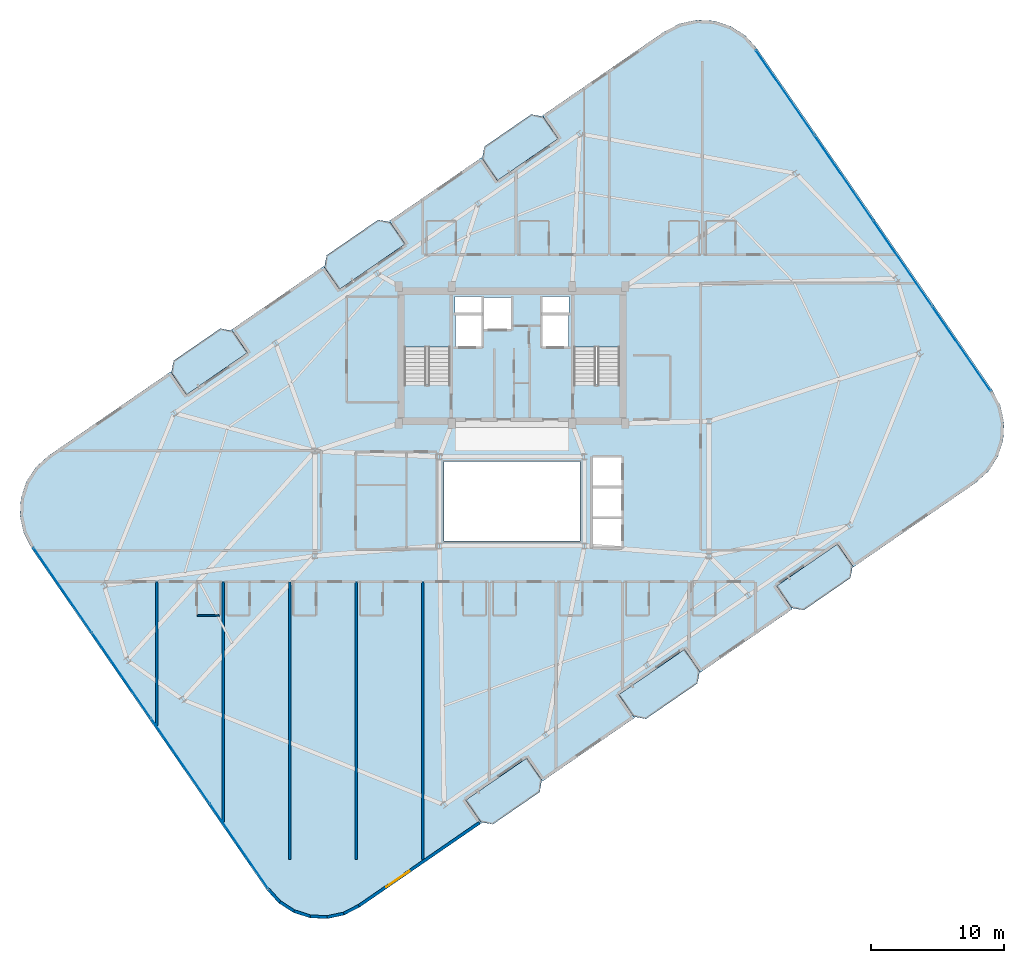
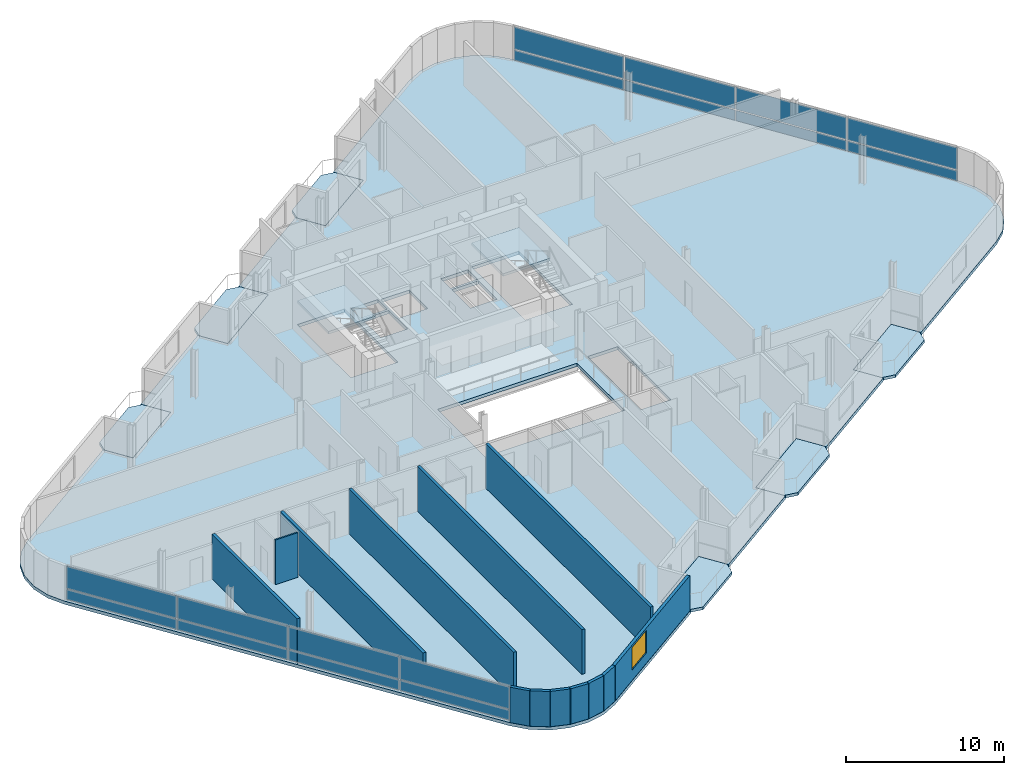
# One storey, part 13 of 22: 16 plates, 13 walls, 9 slabs, 1 window, 1 opening, 4 elements without a shape of their own.
"""IFC4 building model written with IfcOpenShell, lengths in metres."""

from ifc_helpers import new_model, si_unit, direction, frame, frame_2d, origin, origin_2d, place, context, subcontext, project, spatial, polyline, rectangle, outline, extrude, source, transform, mapped, material, layer, layer_set, type_object, element, fill, aggregate, save


model = new_model("IFC4")

# Units and contexts
model_context = context("Model", 3, precision=1e-05, world=origin(), true_north=direction((0.0, 1.0)))
body_context = subcontext(model_context, "Body", "Model", "MODEL_VIEW")
ifc_project = project(units=[si_unit("LENGTHUNIT", "METRE"), si_unit("AREAUNIT", "SQUARE_METRE"), si_unit("VOLUMEUNIT", "CUBIC_METRE"), si_unit("PLANEANGLEUNIT", "RADIAN"), si_unit("MASSUNIT", "GRAM", prefix="KILO")], contexts=[model_context])

# Site, building, storey
site_placement = place(None, origin())
site = spatial("IfcSite", under=ifc_project, at=site_placement, CompositionType="ELEMENT")
building_placement = place(site_placement, origin())
building = spatial("IfcBuilding", under=site, at=building_placement, Name="Varnelok Gate Tower", CompositionType="ELEMENT")
storey_placement = place(building_placement, frame((0.0, 0.0, 280.39990234375)))
storey = spatial("IfcBuildingStorey", under=building, at=storey_placement, Name="L72", CompositionType="ELEMENT", Elevation=280.39990234375)

# Slabs
ifc_material_1 = material(Name="Concrete C45/55", Category="concrete")
ifc_layer_1 = layer(ifc_material_1, 0.219970703125)
ifc_layer_set_1 = layer_set([ifc_layer_1], Name="Concrete C45/55")
slab_type_1 = type_object("IfcSlabType", Name="SLB-BALC-220", PredefinedType="FLOOR", material=ifc_layer_set_1)
slab_1_placement = place(storey_placement, frame((0.0, 0.0, -0.219970703125)))
element("IfcSlab", 1, at=slab_1_placement, inside=storey, type_object=slab_type_1, Name="L72 South Hollow Balcony 1", PredefinedType="FLOOR", context=body_context, shape_type="SweptSolid", body=[
    extrude(outline(polyline([(36.856201171875, -1.207275390625), (37.76025390625, -1.373779296875), (41.274169921875, 1.046630859375), (41.440673828125, 1.95068359375), (40.30615234375, 3.597900390625), (35.7216796875, 0.439697265625), (36.856201171875, -1.207275390625)])), origin(), (0.0, 0.0, 1.0), 0.219970703125),
])
slab_2_placement = place(storey_placement, frame((0.0, 0.0, -0.219970703125)))
element("IfcSlab", 2, at=slab_2_placement, inside=storey, type_object=slab_type_1, Name="L72 South Hollow Balcony 2", PredefinedType="FLOOR", context=body_context, shape_type="SweptSolid", body=[
    extrude(outline(polyline([(48.3583984375, 6.7158203125), (49.262451171875, 6.54931640625), (53.133056640625, 9.21533203125), (53.299560546875, 10.119384765625), (52.1650390625, 11.7666015625), (47.223876953125, 8.36279296875), (48.3583984375, 6.7158203125)])), origin(), (0.0, 0.0, 1.0), 0.219970703125),
])
slab_3_placement = place(storey_placement, frame((0.0, 0.0, -0.219970703125)))
element("IfcSlab", 3, at=slab_3_placement, inside=storey, type_object=slab_type_1, Name="L72 South Hollow Balcony 3", PredefinedType="FLOOR", context=body_context, shape_type="SweptSolid", body=[
    extrude(outline(polyline([(60.21728515625, 14.884521484375), (61.121337890625, 14.718017578125), (64.63525390625, 17.138427734375), (64.802001953125, 18.04248046875), (63.66748046875, 19.689453125), (59.082763671875, 16.531494140625), (60.21728515625, 14.884521484375)])), origin(), (0.0, 0.0, 1.0), 0.219970703125),
])
slab_4_placement = place(storey_placement, frame((0.0, 0.0, -0.219970703125)))
element("IfcSlab", 4, at=slab_4_placement, inside=storey, type_object=slab_type_1, Name="L72 North Hollow Balcony 1", PredefinedType="FLOOR", context=body_context, shape_type="SweptSolid", body=[
    extrude(outline(polyline([(14.732666015625, 30.910400390625), (19.3173828125, 34.068603515625), (18.1826171875, 35.715576171875), (17.27880859375, 35.882080078125), (13.7646484375, 33.461669921875), (13.59814453125, 32.5576171875), (14.732666015625, 30.910400390625)])), origin(), (0.0, 0.0, 1.0), 0.219970703125),
])
slab_5_placement = place(storey_placement, frame((0.0, 0.0, -0.219970703125)))
element("IfcSlab", 5, at=slab_5_placement, inside=storey, type_object=slab_type_1, Name="L72 North Hollow Balcony 2", PredefinedType="FLOOR", context=body_context, shape_type="SweptSolid", body=[
    extrude(outline(polyline([(26.23486328125, 38.83349609375), (31.176025390625, 42.2373046875), (30.04150390625, 43.88427734375), (29.1376953125, 44.05078125), (25.26708984375, 41.384521484375), (25.100341796875, 40.480712890625), (26.23486328125, 38.83349609375)])), origin(), (0.0, 0.0, 1.0), 0.219970703125),
])
slab_6_placement = place(storey_placement, frame((0.0, 0.0, -0.219970703125)))
element("IfcSlab", 6, at=slab_6_placement, inside=storey, type_object=slab_type_1, Name="L72 North Hollow Balcony 3", PredefinedType="FLOOR", context=body_context, shape_type="SweptSolid", body=[
    extrude(outline(polyline([(38.09375, 47.002197265625), (42.678466796875, 50.16015625), (41.5439453125, 51.807373046875), (40.639892578125, 51.973876953125), (37.125732421875, 49.55322265625), (36.959228515625, 48.6494140625), (38.09375, 47.002197265625)])), origin(), (0.0, 0.0, 1.0), 0.219970703125),
])

# Stair, slab
ifc_material_2 = material(Name="Concrete C50/60", Category="concrete")
stair_type = type_object("IfcStairType", Name="STR-CORE-1650", PredefinedType="HALF_TURN_STAIR", material=ifc_material_2)
stair_1_placement = place(storey_placement, origin())
stair_1 = element("IfcStair", 7, at=stair_1_placement, inside=storey, type_object=stair_type, Name="L72 Exit Stair ST-1", PredefinedType="HALF_TURN_STAIR")
ifc_layer_2 = layer(ifc_material_1, 0.199951171875)
ifc_layer_set_2 = layer_set([ifc_layer_2], Name="Concrete C45/55")
slab_type_2 = type_object("IfcSlabType", Name="SLB-LAND-200", PredefinedType="LANDING", material=ifc_layer_set_2)
slab_7_placement = place(storey_placement, frame((0.0, 0.0, 1.650146484375)))
slab_7 = element("IfcSlab", 8, at=slab_7_placement, type_object=slab_type_2, Name="ST-1 landing 1", PredefinedType="LANDING", context=body_context, shape_type="SweptSolid", body=[
    extrude(outline(polyline([(34.550048828125, 34.5), (34.550048828125, 38.449951171875), (31.10009765625, 38.449951171875), (31.10009765625, 34.5), (34.550048828125, 34.5)])), origin(), (0.0, 0.0, 1.0), 0.199951171875),
])
aggregate(stair_1, [slab_7])

stair_2_placement = place(storey_placement, origin())
stair_2 = element("IfcStair", 9, at=stair_2_placement, inside=storey, type_object=stair_type, Name="L72 Exit Stair ST-2", PredefinedType="HALF_TURN_STAIR")
slab_8_placement = place(storey_placement, frame((0.0, 0.0, 1.650146484375)))
slab_8 = element("IfcSlab", 10, at=slab_8_placement, type_object=slab_type_2, Name="ST-2 landing 1", PredefinedType="LANDING", context=body_context, shape_type="SweptSolid", body=[
    extrude(outline(polyline([(47.300048828125, 34.5), (47.300048828125, 38.449951171875), (43.85009765625, 38.449951171875), (43.85009765625, 34.5), (47.300048828125, 34.5)])), origin(), (0.0, 0.0, 1.0), 0.199951171875),
])
aggregate(stair_2, [slab_8])

# Slab
ifc_layer_3 = layer(ifc_material_2, 0.25)
ifc_layer_set_3 = layer_set([ifc_layer_3], Name="Concrete C50/60")
slab_type_3 = type_object("IfcSlabType", Name="SLB-TYP-250", PredefinedType="FLOOR", material=ifc_layer_set_3)
slab_9_placement = place(storey_placement, frame((0.0, 0.0, -0.25)))
element("IfcSlab", 11, at=slab_9_placement, inside=storey, type_object=slab_type_3, Name="L72 Structural Floor Slab", PredefinedType="FLOOR", context=body_context, shape_type="SweptSolid", body=[
    extrude(outline(polyline([(20.79052734375, -6.32373046875), (21.664794921875, -7.292724609375), (22.76025390625, -8.00244140625), (24.002197265625, -8.404541015625), (25.3056640625, -8.471435546875), (26.58203125, -8.19873046875), (27.744384765625, -7.60498046875), (36.25439453125, -1.7431640625), (36.912841796875, -1.28955078125), (35.7216796875, 0.439697265625), (40.30615234375, 3.597900390625), (41.49755859375, 1.868408203125), (48.4150390625, 6.63330078125), (47.223876953125, 8.36279296875), (52.1650390625, 11.7666015625), (53.356201171875, 10.037109375), (60.27392578125, 14.802001953125), (59.082763671875, 16.531494140625), (63.66748046875, 19.689453125), (64.858642578125, 17.960205078125), (65.51708984375, 18.413818359375), (74.027099609375, 24.275390625), (74.99609375, 25.14990234375), (75.705810546875, 26.245361328125), (76.10791015625, 27.487060546875), (76.1748046875, 28.79052734375), (75.902099609375, 30.067138671875), (75.308349609375, 31.2294921875), (57.609619140625, 56.923583984375), (56.735107421875, 57.892822265625), (55.6396484375, 58.6025390625), (54.39794921875, 59.00439453125), (53.094482421875, 59.071533203125), (51.81787109375, 58.798828125), (50.655517578125, 58.205078125), (42.145751953125, 52.34326171875), (41.487060546875, 51.8896484375), (42.678466796875, 50.16015625), (38.09375, 47.002197265625), (36.902587890625, 48.731689453125), (29.98486328125, 43.966552734375), (31.176025390625, 42.2373046875), (26.23486328125, 38.83349609375), (25.043701171875, 40.56298828125), (18.1259765625, 35.7978515625), (19.3173828125, 34.068603515625), (14.732666015625, 30.910400390625), (13.54150390625, 32.639892578125), (12.8828125, 32.186279296875), (4.373046875, 26.324462890625), (3.40380859375, 25.4501953125), (2.694091796875, 24.354736328125), (2.292236328125, 23.11279296875), (2.22509765625, 21.809326171875), (2.497802734375, 20.532958984375), (3.091796875, 19.37060546875), (20.79052734375, -6.32373046875)]), holes=[polyline([(34.550048828125, 31.679931640625), (34.550048828125, 38.449951171875), (31.10009765625, 38.449951171875), (31.10009765625, 31.679931640625), (34.550048828125, 31.679931640625)]), polyline([(47.300048828125, 31.679931640625), (47.300048828125, 38.449951171875), (43.85009765625, 38.449951171875), (43.85009765625, 31.679931640625), (47.300048828125, 31.679931640625)]), polyline([(34.949951171875, 34.550048828125), (36.89990234375, 34.550048828125), (36.89990234375, 36.89990234375), (34.949951171875, 36.89990234375), (34.949951171875, 34.550048828125)]), polyline([(41.5, 34.550048828125), (43.449951171875, 34.550048828125), (43.449951171875, 36.89990234375), (41.5, 36.89990234375), (41.5, 34.550048828125)]), polyline([(37.050048828125, 35.85009765625), (39.14990234375, 35.85009765625), (39.14990234375, 38.199951171875), (37.050048828125, 38.199951171875), (37.050048828125, 35.85009765625)]), polyline([(45.25, 19.449951171875), (47.449951171875, 19.449951171875), (47.449951171875, 26.199951171875), (45.25, 26.199951171875), (45.25, 19.449951171875)]), polyline([(34.919921875, 37.080078125), (36.89990234375, 37.080078125), (36.89990234375, 38.280029296875), (34.919921875, 38.280029296875), (34.919921875, 37.080078125)]), polyline([(41.5, 37.080078125), (43.47998046875, 37.080078125), (43.47998046875, 38.280029296875), (41.5, 38.280029296875), (41.5, 37.080078125)]), polyline([(34.10009765625, 19.89990234375), (44.300048828125, 19.89990234375), (44.300048828125, 25.89990234375), (34.10009765625, 25.89990234375), (34.10009765625, 19.89990234375)])]), origin(), (0.0, 0.0, 1.0), 0.25),
])

# Curtain wall, plates
ifc_material_3 = material(Name="Anodized Aluminum Alloy 6063-T6", Category="aluminium")
ifc_layer_4 = layer(ifc_material_3, 0.179931640625)
ifc_layer_set_4 = layer_set([ifc_layer_4], Name="Anodized Aluminum Alloy 6063-T6")
curtain_wall_type = type_object("IfcCurtainWallType", Name="CW4-RESIDENCE-VISION", PredefinedType="USERDEFINED", material=ifc_layer_set_4)
curtain_wall_1_placement = place(storey_placement, origin())
curtain_wall_1 = element("IfcCurtainWall", 12, at=curtain_wall_1_placement, inside=storey, type_object=curtain_wall_type, Name="L72 West End Vision Curtain Wall", ObjectType="UNITISED CURTAIN WALL", PredefinedType="USERDEFINED")
ifc_material_4 = material(Name="Low-E Laminated Double Glazing IGU", Category="glass")
ifc_layer_5 = layer(ifc_material_4, 0.035888671875)
ifc_layer_set_5 = layer_set([ifc_layer_5], Name="Low-E Laminated Double Glazing IGU")
plate_type = type_object("IfcPlateType", Name="CW-PNL-IGU36", PredefinedType="CURTAIN_PANEL", material=ifc_layer_set_5)
shared_shape_1 = source(origin(), body_context, "Body", "SweptSolid", [
    extrude(rectangle(XDim=7.6875, YDim=0.035888671875, at=origin_2d()), origin(), (0.0, 0.0, 1.0), 0.78759765625),
])
plate_1_placement = place(storey_placement, frame((18.682861328125, -3.01708984375, 0.074951171875), z_axis=(0.0, 0.0, 1.0), x_axis=(-0.567269395376, 0.823532290241, 0.0)))
plate_1 = element("IfcPlate", 13, at=plate_1_placement, type_object=plate_type, Name="CW4 panel 1.1", PredefinedType="CURTAIN_PANEL", context=body_context, shape_type="MappedRepresentation", body=[
    mapped(shared_shape_1, transform((0.0, 0.0, 0.0), scale=1.0)),
])
plate_2_placement = place(storey_placement, frame((5.429931640625, 16.22265625, 0.074951171875), z_axis=(0.0, 0.0, 1.0), x_axis=(-0.567269395376, 0.823532290241, 0.0)))
plate_2 = element("IfcPlate", 14, at=plate_2_placement, type_object=plate_type, Name="CW4 panel 4.1", PredefinedType="CURTAIN_PANEL", context=body_context, shape_type="MappedRepresentation", body=[
    mapped(shared_shape_1, transform((0.0, 0.0, 0.0), scale=1.0)),
])

curtain_wall_2_placement = place(storey_placement, origin())
curtain_wall_2 = element("IfcCurtainWall", 15, at=curtain_wall_2_placement, inside=storey, type_object=curtain_wall_type, Name="L72 East End Vision Curtain Wall", ObjectType="UNITISED CURTAIN WALL", PredefinedType="USERDEFINED")
plate_3_placement = place(storey_placement, frame((59.71728515625, 53.6171875, 0.074951171875), z_axis=(0.0, 0.0, 1.0), x_axis=(0.567269395376, -0.823532290241, 0.0)))
plate_3 = element("IfcPlate", 16, at=plate_3_placement, type_object=plate_type, Name="CW4 panel 1.1", PredefinedType="CURTAIN_PANEL", context=body_context, shape_type="MappedRepresentation", body=[
    mapped(shared_shape_1, transform((0.0, 0.0, 0.0), scale=1.0)),
])
plate_4_placement = place(storey_placement, frame((72.969970703125, 34.377197265625, 0.074951171875), z_axis=(0.0, 0.0, 1.0), x_axis=(0.567269395376, -0.823532290241, 0.0)))
plate_4 = element("IfcPlate", 17, at=plate_4_placement, type_object=plate_type, Name="CW4 panel 4.1", PredefinedType="CURTAIN_PANEL", context=body_context, shape_type="MappedRepresentation", body=[
    mapped(shared_shape_1, transform((0.0, 0.0, 0.0), scale=1.0)),
])

# Plate
shared_shape_2 = source(origin(), body_context, "Body", "SweptSolid", [
    extrude(rectangle(XDim=7.6875, YDim=0.035888671875, at=origin_2d()), origin(), (0.0, 0.0, 1.0), 1.717529296875),
])
plate_5_placement = place(storey_placement, frame((18.682861328125, -3.01708984375, 0.9375), z_axis=(0.0, 0.0, 1.0), x_axis=(-0.567269395376, 0.823532290241, 0.0)))
plate_5 = element("IfcPlate", 18, at=plate_5_placement, type_object=plate_type, Name="CW4 panel 1.2", PredefinedType="CURTAIN_PANEL", context=body_context, shape_type="MappedRepresentation", body=[
    mapped(shared_shape_2, transform((0.0, 0.0, 0.0), scale=1.0)),
])

plate_6_placement = place(storey_placement, frame((5.429931640625, 16.22265625, 0.9375), z_axis=(0.0, 0.0, 1.0), x_axis=(-0.567269395376, 0.823532290241, 0.0)))
plate_6 = element("IfcPlate", 19, at=plate_6_placement, type_object=plate_type, Name="CW4 panel 4.2", PredefinedType="CURTAIN_PANEL", context=body_context, shape_type="MappedRepresentation", body=[
    mapped(shared_shape_2, transform((0.0, 0.0, 0.0), scale=1.0)),
])

plate_7_placement = place(storey_placement, frame((59.71728515625, 53.6171875, 0.9375), z_axis=(0.0, 0.0, 1.0), x_axis=(0.567269395376, -0.823532290241, 0.0)))
plate_7 = element("IfcPlate", 20, at=plate_7_placement, type_object=plate_type, Name="CW4 panel 1.2", PredefinedType="CURTAIN_PANEL", context=body_context, shape_type="MappedRepresentation", body=[
    mapped(shared_shape_2, transform((0.0, 0.0, 0.0), scale=1.0)),
])

plate_8_placement = place(storey_placement, frame((72.969970703125, 34.377197265625, 0.9375), z_axis=(0.0, 0.0, 1.0), x_axis=(0.567269395376, -0.823532290241, 0.0)))
plate_8 = element("IfcPlate", 21, at=plate_8_placement, type_object=plate_type, Name="CW4 panel 4.2", PredefinedType="CURTAIN_PANEL", context=body_context, shape_type="MappedRepresentation", body=[
    mapped(shared_shape_2, transform((0.0, 0.0, 0.0), scale=1.0)),
])

shared_shape_3 = source(origin(), body_context, "Body", "SweptSolid", [
    extrude(rectangle(XDim=7.72509765625, YDim=0.035888671875, at=origin_2d()), origin(), (0.0, 0.0, 1.0), 0.78759765625),
])
plate_9_placement = place(storey_placement, frame((14.268798828125, 3.39111328125, 0.074951171875), z_axis=(0.0, 0.0, 1.0), x_axis=(-0.567269395376, 0.823532290241, 0.0)))
plate_9 = element("IfcPlate", 22, at=plate_9_placement, type_object=plate_type, Name="CW4 panel 2.1", PredefinedType="CURTAIN_PANEL", context=body_context, shape_type="MappedRepresentation", body=[
    mapped(shared_shape_3, transform((0.0, 0.0, 0.0), scale=1.0)),
])

plate_10_placement = place(storey_placement, frame((9.843994140625, 9.814453125, 0.074951171875), z_axis=(0.0, 0.0, 1.0), x_axis=(-0.567269395376, 0.823532290241, 0.0)))
plate_10 = element("IfcPlate", 23, at=plate_10_placement, type_object=plate_type, Name="CW4 panel 3.1", PredefinedType="CURTAIN_PANEL", context=body_context, shape_type="MappedRepresentation", body=[
    mapped(shared_shape_3, transform((0.0, 0.0, 0.0), scale=1.0)),
])

plate_11_placement = place(storey_placement, frame((64.13134765625, 47.208984375, 0.074951171875), z_axis=(0.0, 0.0, 1.0), x_axis=(0.567269395376, -0.823532290241, 0.0)))
plate_11 = element("IfcPlate", 24, at=plate_11_placement, type_object=plate_type, Name="CW4 panel 2.1", PredefinedType="CURTAIN_PANEL", context=body_context, shape_type="MappedRepresentation", body=[
    mapped(shared_shape_3, transform((0.0, 0.0, 0.0), scale=1.0)),
])

plate_12_placement = place(storey_placement, frame((68.555908203125, 40.785400390625, 0.074951171875), z_axis=(0.0, 0.0, 1.0), x_axis=(0.567269395376, -0.823532290241, 0.0)))
plate_12 = element("IfcPlate", 25, at=plate_12_placement, type_object=plate_type, Name="CW4 panel 3.1", PredefinedType="CURTAIN_PANEL", context=body_context, shape_type="MappedRepresentation", body=[
    mapped(shared_shape_3, transform((0.0, 0.0, 0.0), scale=1.0)),
])

shared_shape_4 = source(origin(), body_context, "Body", "SweptSolid", [
    extrude(rectangle(XDim=7.72509765625, YDim=0.035888671875, at=origin_2d()), origin(), (0.0, 0.0, 1.0), 1.717529296875),
])
plate_13_placement = place(storey_placement, frame((14.268798828125, 3.39111328125, 0.9375), z_axis=(0.0, 0.0, 1.0), x_axis=(-0.567269395376, 0.823532290241, 0.0)))
plate_13 = element("IfcPlate", 26, at=plate_13_placement, type_object=plate_type, Name="CW4 panel 2.2", PredefinedType="CURTAIN_PANEL", context=body_context, shape_type="MappedRepresentation", body=[
    mapped(shared_shape_4, transform((0.0, 0.0, 0.0), scale=1.0)),
])

plate_14_placement = place(storey_placement, frame((9.843994140625, 9.814453125, 0.9375), z_axis=(0.0, 0.0, 1.0), x_axis=(-0.567269395376, 0.823532290241, 0.0)))
plate_14 = element("IfcPlate", 27, at=plate_14_placement, type_object=plate_type, Name="CW4 panel 3.2", PredefinedType="CURTAIN_PANEL", context=body_context, shape_type="MappedRepresentation", body=[
    mapped(shared_shape_4, transform((0.0, 0.0, 0.0), scale=1.0)),
])

aggregate(curtain_wall_1, [plate_1, plate_5, plate_9, plate_13, plate_10, plate_14, plate_2, plate_6])

plate_15_placement = place(storey_placement, frame((64.13134765625, 47.208984375, 0.9375), z_axis=(0.0, 0.0, 1.0), x_axis=(0.567269395376, -0.823532290241, 0.0)))
plate_15 = element("IfcPlate", 28, at=plate_15_placement, type_object=plate_type, Name="CW4 panel 2.2", PredefinedType="CURTAIN_PANEL", context=body_context, shape_type="MappedRepresentation", body=[
    mapped(shared_shape_4, transform((0.0, 0.0, 0.0), scale=1.0)),
])

plate_16_placement = place(storey_placement, frame((68.555908203125, 40.785400390625, 0.9375), z_axis=(0.0, 0.0, 1.0), x_axis=(0.567269395376, -0.823532290241, 0.0)))
plate_16 = element("IfcPlate", 29, at=plate_16_placement, type_object=plate_type, Name="CW4 panel 3.2", PredefinedType="CURTAIN_PANEL", context=body_context, shape_type="MappedRepresentation", body=[
    mapped(shared_shape_4, transform((0.0, 0.0, 0.0), scale=1.0)),
])

aggregate(curtain_wall_2, [plate_3, plate_7, plate_11, plate_15, plate_12, plate_16, plate_4, plate_8])

# Walls
ifc_layer_6 = layer(ifc_material_1, 0.219970703125)
ifc_layer_set_6 = layer_set([ifc_layer_6], Name="Concrete C45/55")
wall_type_1 = type_object("IfcWallType", Name="EW-BALC-220", PredefinedType="SOLIDWALL", material=ifc_layer_set_6)
wall_1_placement = place(storey_placement, frame((20.89013671875, -6.255126953125, 0.0), z_axis=(0.0, 0.0, 1.0), x_axis=(0.669949059844, -0.74240706975, 0.0)))
element("IfcWall", 30, at=wall_1_placement, inside=storey, type_object=wall_type_1, Name="L72 Perimeter Facade Closure Wall 1", PredefinedType="SOLIDWALL", context=body_context, shape_type="SweptSolid", body=[
    extrude(rectangle(XDim=1.273681640625, YDim=0.219970703125, at=frame_2d((0.63671875, 0.0))), origin(), (0.0, 0.0, 1.0), 2.72998046875),
])
for number, where, z_axis, x_axis, name in (
    (31, (21.764404296875, -7.21435546875, 0.0), (0.0, 0.0, 1.0), (0.839229000731, -0.543778157277, 0.0), "L72 Perimeter Facade Closure Wall 2"),
    (32, (22.836181640625, -7.90087890625, 0.0), (0.0, 0.0, 1.0), (0.951385542995, -0.308002513919, 0.0), "L72 Perimeter Facade Closure Wall 3"),
    (33, (24.049072265625, -8.286865234375, 0.0), (0.0, 0.0, 1.0), (0.998686637427, -0.051234756022, 0.0), "L72 Perimeter Facade Closure Wall 4"),
):
    element("IfcWall", number, at=place(storey_placement, frame(where, z_axis=z_axis, x_axis=x_axis)), inside=storey, type_object=wall_type_1, Name=name, PredefinedType="SOLIDWALL", context=body_context, shape_type="SweptSolid", body=[
        extrude(rectangle(XDim=1.24853515625, YDim=0.219970703125, at=frame_2d((0.624267578125, 0.0))), origin(), (0.0, 0.0, 1.0), 2.72998046875),
    ])
wall_2_placement = place(storey_placement, frame((25.3203125, -8.345703125, 0.0), z_axis=(0.0, 0.0, 1.0), x_axis=(0.977916710262, 0.208994994656, 0.0)))
element("IfcWall", 34, at=wall_2_placement, inside=storey, type_object=wall_type_1, Name="L72 Perimeter Facade Closure Wall 5", PredefinedType="SOLIDWALL", context=body_context, shape_type="SweptSolid", body=[
    extrude(rectangle(XDim=1.248779296875, YDim=0.219970703125, at=frame_2d((0.62451171875, 0.0))), origin(), (0.0, 0.0, 1.0), 2.72998046875),
])
wall_3_placement = place(storey_placement, frame((26.563720703125, -8.073486328125, 0.0), z_axis=(0.0, 0.0, 1.0), x_axis=(0.890508147271, 0.454967295137, 0.0)))
element("IfcWall", 35, at=wall_3_placement, inside=storey, type_object=wall_type_1, Name="L72 Perimeter Facade Closure Wall 6", PredefinedType="SOLIDWALL", context=body_context, shape_type="SweptSolid", body=[
    extrude(rectangle(XDim=1.2568359375, YDim=0.219970703125, at=frame_2d((0.62841796875, 0.0))), origin(), (0.0, 0.0, 1.0), 2.72998046875),
])

# Wall, opening, window
wall_4_placement = place(storey_placement, frame((27.70361328125, -7.487548828125, 0.0), z_axis=(0.0, 0.0, 1.0), x_axis=(0.823529068157, 0.567274073003, 0.0)))
wall_4 = element("IfcWall", 36, at=wall_4_placement, inside=storey, type_object=wall_type_1, Name="L72 Perimeter Facade Closure Wall 7", PredefinedType="SOLIDWALL", context=body_context, shape_type="SweptSolid", body=[
    extrude(rectangle(XDim=10.980224609375, YDim=0.219970703125, at=frame_2d((5.490234375, 0.0))), origin(), (0.0, 0.0, 1.0), 2.72998046875),
])
opening_placement = place(wall_4_placement, frame((2.486328125, 0.0, 0.800048828125)))
opening = element("IfcOpeningElement", 37, at=opening_placement, cuts=wall_4, Name="Opening WN4", PredefinedType="OPENING", context=body_context, shape_type="SweptSolid", body=[
    extrude(rectangle(XDim=2.10009765625, YDim=1.75, at=frame_2d((1.050048828125, 0.875))), frame((0.0, 0.119873046875, 0.0), z_axis=(0.0, -1.0, 0.0), x_axis=(1.0, 0.0, 0.0)), (0.0, 0.0, 1.0), 0.239990234375),
])
window_type = type_object("IfcWindowType", Name="WN-SUI-2100", PartitioningType="SINGLE_PANEL", PredefinedType="WINDOW", material=ifc_material_4)
window_placement = place(opening_placement, origin())
window = element("IfcWindow", 38, at=window_placement, inside=storey, type_object=window_type, Name="L72 Perimeter Vision Window 7", OverallHeight=1.75, OverallWidth=2.10009765625, PartitioningType="SINGLE_PANEL", PredefinedType="WINDOW", context=body_context, shape_type="SweptSolid", body=[
    extrude(rectangle(XDim=2.10009765625, YDim=1.75, at=frame_2d((1.050048828125, 0.875))), frame((0.0, 0.030029296875, 0.0), z_axis=(0.0, -1.0, 0.0), x_axis=(1.0, 0.0, 0.0)), (0.0, 0.0, 1.0), 0.06005859375),
])
fill(opening, window)

# Walls
ifc_material_5 = material(Name="Gypsum Plasterboard Acoustic Partition", Category="gypsum")
ifc_layer_7 = layer(ifc_material_5, 0.114990234375)
ifc_layer_set_7 = layer_set([ifc_layer_7], Name="Gypsum Plasterboard Acoustic Partition")
wall_type_2 = type_object("IfcWallType", Name="PW-ENS-125", PredefinedType="PARTITIONING", material=ifc_layer_set_7)
wall_5_placement = place(storey_placement, frame((15.550048828125, 14.330078125, 0.0), z_axis=(0.0, 0.0, 1.0), x_axis=(1.0, 0.0, 0.0)))
element("IfcWall", 39, at=wall_5_placement, inside=storey, type_object=wall_type_2, Name="Interior Partition", PredefinedType="PARTITIONING", context=body_context, shape_type="SweptSolid", body=[
    extrude(rectangle(XDim=1.64990234375, YDim=0.114990234375, at=frame_2d((0.824951171875, 0.0))), origin(), (0.0, 0.0, 1.0), 3.4501953125),
])
ifc_layer_8 = layer(ifc_material_5, 0.205078125)
ifc_layer_set_8 = layer_set([ifc_layer_8], Name="Gypsum Plasterboard Acoustic Partition")
wall_type_3 = type_object("IfcWallType", Name="PW-PARTY-200", PredefinedType="PARTITIONING", material=ifc_layer_set_8)
wall_6_placement = place(storey_placement, frame((12.5, 6.063720703125, 0.0), z_axis=(0.0, 0.0, 1.0), x_axis=(0.0, 1.0, 0.0)))
element("IfcWall", 40, at=wall_6_placement, inside=storey, type_object=wall_type_3, Name="L72 South Party Wall 1", PredefinedType="PARTITIONING", context=body_context, shape_type="SweptSolid", body=[
    extrude(rectangle(XDim=10.786376953125, YDim=0.205078125, at=frame_2d((5.39306640625, 0.0))), origin(), (0.0, 0.0, 1.0), 3.4501953125),
])
wall_7_placement = place(storey_placement, frame((17.5, -1.19482421875, 0.0), z_axis=(0.0, 0.0, 1.0), x_axis=(0.0, 1.0, 0.0)))
element("IfcWall", 41, at=wall_7_placement, inside=storey, type_object=wall_type_3, Name="L72 South Party Wall 2", PredefinedType="PARTITIONING", context=body_context, shape_type="SweptSolid", body=[
    extrude(rectangle(XDim=18.044921875, YDim=0.205078125, at=frame_2d((9.0224609375, 0.0))), origin(), (0.0, 0.0, 1.0), 3.4501953125),
])
for number, where, z_axis, x_axis, name in (
    (42, (22.5, -4.0, 0.0), (0.0, 0.0, 1.0), (0.0, 1.0, 0.0), "L72 South Party Wall 3"),
    (43, (27.5, -4.0, 0.0), (0.0, 0.0, 1.0), (0.0, 1.0, 0.0), "L72 South Party Wall 4"),
    (44, (32.5, -4.0, 0.0), (0.0, 0.0, 1.0), (0.0, 1.0, 0.0), "L72 South Party Wall 5"),
):
    element("IfcWall", number, at=place(storey_placement, frame(where, z_axis=z_axis, x_axis=x_axis)), inside=storey, type_object=wall_type_3, Name=name, PredefinedType="PARTITIONING", context=body_context, shape_type="SweptSolid", body=[
        extrude(rectangle(XDim=20.85009765625, YDim=0.205078125, at=frame_2d((10.425048828125, 0.0))), origin(), (0.0, 0.0, 1.0), 3.4501953125),
    ])

save(model, "model.ifc")
